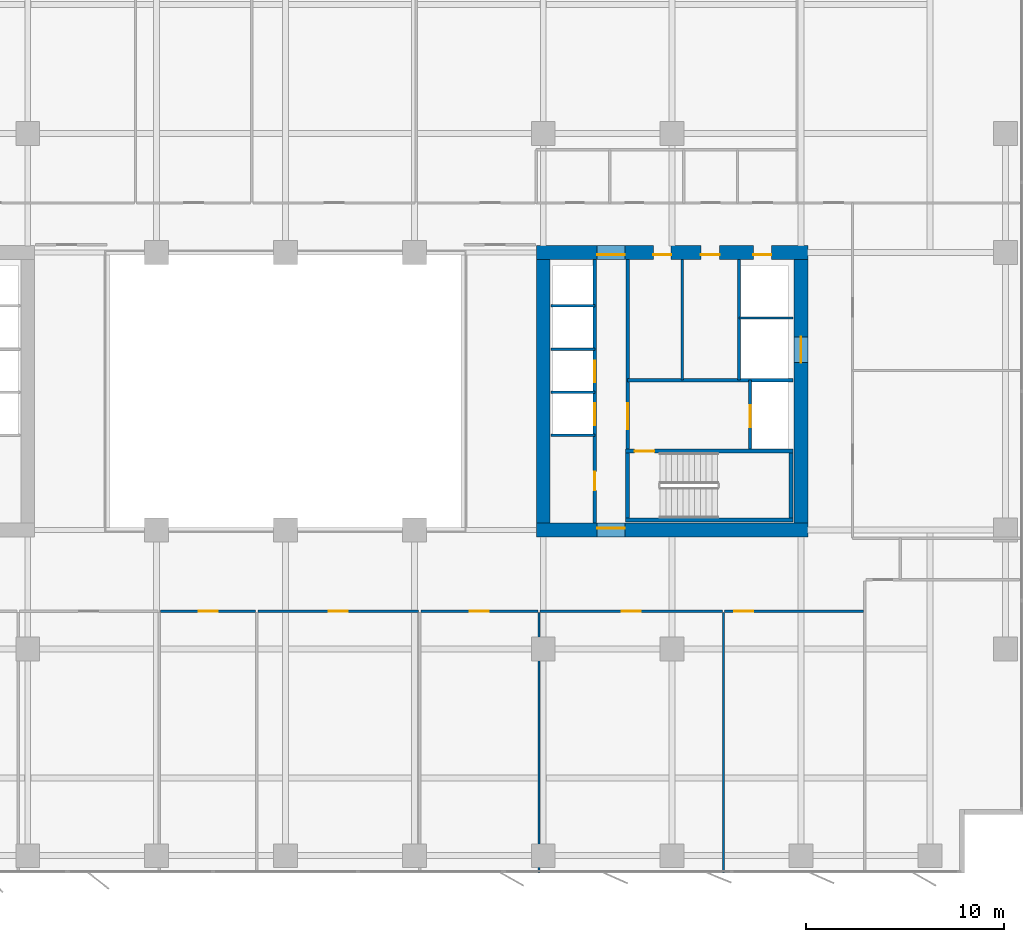
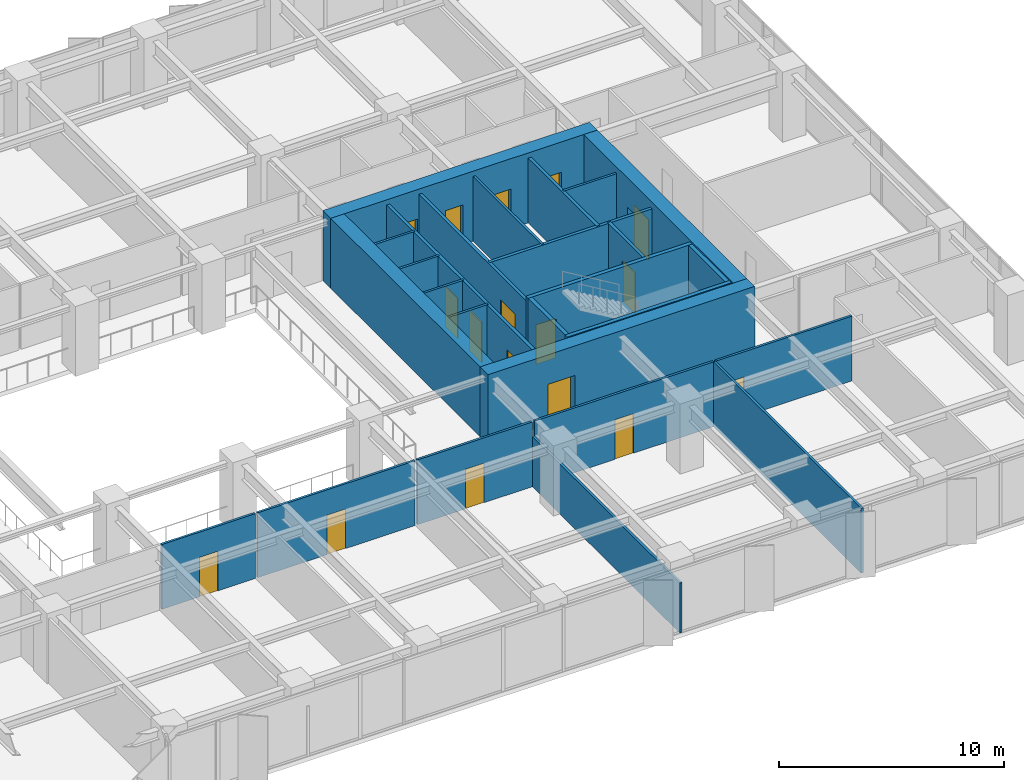
# One storey, part 14 of 20: 26 walls, 17 doors, 17 openings.
"""IFC4 building model written with IfcOpenShell, lengths in metres."""

from ifc_helpers import new_model, si_unit, direction, frame, frame_2d, origin, place, context, subcontext, project, spatial, rectangle, extrude, material, layer, layer_set, type_object, element, fill, save


model = new_model("IFC4")

# Units and contexts
model_context = context("Model", 3, precision=1e-05, world=origin(), true_north=direction((0.0, 1.0)))
body_context = subcontext(model_context, "Body", "Model", "MODEL_VIEW")
ifc_project = project(units=[si_unit("LENGTHUNIT", "METRE"), si_unit("AREAUNIT", "SQUARE_METRE"), si_unit("VOLUMEUNIT", "CUBIC_METRE"), si_unit("PLANEANGLEUNIT", "RADIAN"), si_unit("MASSUNIT", "GRAM", prefix="KILO")], contexts=[model_context])

# Site, building, storey
site_placement = place(None, origin())
site = spatial("IfcSite", under=ifc_project, at=site_placement, CompositionType="ELEMENT")
building_placement = place(site_placement, origin())
building = spatial("IfcBuilding", under=site, at=building_placement, Name="Putna Gate Headquarters", CompositionType="ELEMENT")
storey_placement = place(building_placement, frame((0.0, 0.0, 135.39990234375)))
storey = spatial("IfcBuildingStorey", under=building, at=storey_placement, Name="L33", CompositionType="ELEMENT", Elevation=135.39990234375)

# Wall, opening, door
ifc_material_1 = material(Name="Concrete C60/75", Category="concrete")
ifc_layer_1 = layer(ifc_material_1, 0.699951171875)
ifc_layer_set_1 = layer_set([ifc_layer_1], Name="Concrete C60/75")
wall_type_1 = type_object("IfcWallType", Name="WALL-CORE-700", PredefinedType="SHEAR", material=ifc_layer_set_1)
wall_1_placement = place(storey_placement, frame((51.64990234375, 19.0, 0.0), z_axis=(0.0, 0.0, 1.0), x_axis=(1.0, 0.0, 0.0)))
wall_1 = element("IfcWall", 1, at=wall_1_placement, inside=storey, type_object=wall_type_1, Name="L33 EC Split Core Shear Wall S", PredefinedType="SHEAR", context=body_context, shape_type="SweptSolid", body=[
    extrude(rectangle(XDim=13.7001953125, YDim=0.699951171875, at=frame_2d((6.85009765625, 0.0))), origin(), (0.0, 0.0, 1.0), 3.800048828125),
])
opening_1_placement = place(wall_1_placement, frame((3.070068359375, 0.0, 0.0)))
opening_1 = element("IfcOpeningElement", 2, at=opening_1_placement, cuts=wall_1, Name="Opening FDD-140", PredefinedType="OPENING", context=body_context, shape_type="SweptSolid", body=[
    extrude(rectangle(XDim=1.39990234375, YDim=2.199951171875, at=frame_2d((0.699951171875, 1.10009765625))), frame((0.0, 0.35986328125, 0.0), z_axis=(0.0, -1.0, 0.0), x_axis=(1.0, 0.0, 0.0)), (0.0, 0.0, 1.0), 0.719970703125),
])
ifc_material_2 = material(Name="Double steel fire door", Category="steel")
door_type_1 = type_object("IfcDoorType", Name="DOOR-FIRE-DBL-1400", OperationType="DOUBLE_DOOR_SINGLE_SWING", PredefinedType="DOOR", material=ifc_material_2)
door_1_placement = place(opening_1_placement, origin())
door_1 = element("IfcDoor", 3, at=door_1_placement, inside=storey, type_object=door_type_1, Name="L33 East Lift Lobby South Door", OperationType="DOUBLE_DOOR_SINGLE_SWING", OverallHeight=2.199951171875, OverallWidth=1.39990234375, PredefinedType="DOOR", context=body_context, shape_type="SweptSolid", body=[
    extrude(rectangle(XDim=1.39990234375, YDim=2.199951171875, at=frame_2d((0.699951171875, 1.10009765625))), frame((0.0, 0.125, 0.0), z_axis=(0.0, -1.0, 0.0), x_axis=(1.0, 0.0, 0.0)), (0.0, 0.0, 1.0), 0.050048828125),
])
fill(opening_1, door_1)

# Wall, openings, doors
wall_2_placement = place(storey_placement, frame((51.64990234375, 33.0, 0.0), z_axis=(0.0, 0.0, 1.0), x_axis=(1.0, 0.0, 0.0)))
wall_2 = element("IfcWall", 4, at=wall_2_placement, inside=storey, type_object=wall_type_1, Name="L33 EC Split Core Shear Wall N", PredefinedType="SHEAR", context=body_context, shape_type="SweptSolid", body=[
    extrude(rectangle(XDim=13.7001953125, YDim=0.699951171875, at=frame_2d((6.85009765625, 0.0))), origin(), (0.0, 0.0, 1.0), 3.800048828125),
])
opening_2_placement = place(wall_2_placement, frame((3.070068359375, 0.0, 0.0)))
opening_2 = element("IfcOpeningElement", 5, at=opening_2_placement, cuts=wall_2, Name="Opening FDD-140", PredefinedType="OPENING", context=body_context, shape_type="SweptSolid", body=[
    extrude(rectangle(XDim=1.39990234375, YDim=2.199951171875, at=frame_2d((0.699951171875, 1.10009765625))), frame((0.0, 0.35986328125, 0.0), z_axis=(0.0, -1.0, 0.0), x_axis=(1.0, 0.0, 0.0)), (0.0, 0.0, 1.0), 0.719970703125),
])
opening_3_placement = place(wall_2_placement, frame((10.949951171875, 0.0, 0.0)))
opening_3 = element("IfcOpeningElement", 6, at=opening_3_placement, cuts=wall_2, Name="Opening RD-90", PredefinedType="OPENING", context=body_context, shape_type="SweptSolid", body=[
    extrude(rectangle(XDim=0.89990234375, YDim=2.14990234375, at=frame_2d((0.449951171875, 1.074951171875))), frame((0.0, 0.35986328125, 0.0), z_axis=(0.0, -1.0, 0.0), x_axis=(1.0, 0.0, 0.0)), (0.0, 0.0, 1.0), 0.719970703125),
])
opening_4_placement = place(wall_2_placement, frame((5.89990234375, 0.0, 0.0)))
opening_4 = element("IfcOpeningElement", 7, at=opening_4_placement, cuts=wall_2, Name="Opening IDS-90", PredefinedType="OPENING", context=body_context, shape_type="SweptSolid", body=[
    extrude(rectangle(XDim=0.89990234375, YDim=2.14990234375, at=frame_2d((0.449951171875, 1.074951171875))), frame((0.0, 0.35986328125, 0.0), z_axis=(0.0, -1.0, 0.0), x_axis=(1.0, 0.0, 0.0)), (0.0, 0.0, 1.0), 0.719970703125),
])
opening_5_placement = place(wall_2_placement, frame((8.300048828125, 0.0, 0.0)))
opening_5 = element("IfcOpeningElement", 8, at=opening_5_placement, cuts=wall_2, Name="Opening IDS-95", PredefinedType="OPENING", context=body_context, shape_type="SweptSolid", body=[
    extrude(rectangle(XDim=0.949951171875, YDim=2.14990234375, at=frame_2d((0.47509765625, 1.074951171875))), frame((0.0, 0.35986328125, 0.0), z_axis=(0.0, -1.0, 0.0), x_axis=(1.0, 0.0, 0.0)), (0.0, 0.0, 1.0), 0.719970703125),
])
door_2_placement = place(opening_2_placement, origin())
door_2 = element("IfcDoor", 9, at=door_2_placement, inside=storey, type_object=door_type_1, Name="L33 East Lift Lobby North Door", OperationType="DOUBLE_DOOR_SINGLE_SWING", OverallHeight=2.199951171875, OverallWidth=1.39990234375, PredefinedType="DOOR", context=body_context, shape_type="SweptSolid", body=[
    extrude(rectangle(XDim=1.39990234375, YDim=2.199951171875, at=frame_2d((0.699951171875, 1.10009765625))), frame((0.0, -0.0751953125, 0.0), z_axis=(0.0, -1.0, 0.0), x_axis=(1.0, 0.0, 0.0)), (0.0, 0.0, 1.0), 0.050048828125),
])
fill(opening_2, door_2)
ifc_material_3 = material(Name="Fire-rated utility door")
door_type_2 = type_object("IfcDoorType", Name="DOOR-INT-900", OperationType="NOTDEFINED", PredefinedType="DOOR", material=ifc_material_3)
door_3_placement = place(opening_4_placement, origin())
door_3 = element("IfcDoor", 10, at=door_3_placement, inside=storey, type_object=door_type_2, Name="L33 Telecoms Plant Door", OperationType="SINGLE_SWING_LEFT", OverallHeight=2.14990234375, OverallWidth=0.89990234375, PredefinedType="DOOR", context=body_context, shape_type="SweptSolid", body=[
    extrude(rectangle(XDim=0.89990234375, YDim=2.14990234375, at=frame_2d((0.449951171875, 1.074951171875))), frame((0.0, -0.0751953125, 0.0), z_axis=(0.0, -1.0, 0.0), x_axis=(1.0, 0.0, 0.0)), (0.0, 0.0, 1.0), 0.050048828125),
])
fill(opening_4, door_3)
ifc_material_4 = material(Name="Fire-rated service timber door", Category="wood")
door_type_3 = type_object("IfcDoorType", Name="DOOR-INT-950", OperationType="NOTDEFINED", PredefinedType="DOOR", material=ifc_material_4)
door_4_placement = place(opening_5_placement, origin())
door_4 = element("IfcDoor", 11, at=door_4_placement, inside=storey, type_object=door_type_3, Name="L33 Supplies Store Door", OperationType="SINGLE_SWING_RIGHT", OverallHeight=2.14990234375, OverallWidth=0.949951171875, PredefinedType="DOOR", context=body_context, shape_type="SweptSolid", body=[
    extrude(rectangle(XDim=0.949951171875, YDim=2.14990234375, at=frame_2d((0.47509765625, 1.074951171875))), frame((0.0, -0.0751953125, 0.0), z_axis=(0.0, -1.0, 0.0), x_axis=(1.0, 0.0, 0.0)), (0.0, 0.0, 1.0), 0.050048828125),
])
fill(opening_5, door_4)
ifc_material_5 = material(Name="Steel riser access fire door", Category="steel")
door_type_4 = type_object("IfcDoorType", Name="DOOR-RISER-900", OperationType="NOTDEFINED", PredefinedType="DOOR", material=ifc_material_5)
door_5_placement = place(opening_3_placement, origin())
door_5 = element("IfcDoor", 12, at=door_5_placement, inside=storey, type_object=door_type_4, Name="L33 East Riser Access Door", OperationType="SINGLE_SWING_LEFT", OverallHeight=2.14990234375, OverallWidth=0.89990234375, PredefinedType="DOOR", context=body_context, shape_type="SweptSolid", body=[
    extrude(rectangle(XDim=0.89990234375, YDim=2.14990234375, at=frame_2d((0.449951171875, 1.074951171875))), frame((0.0, -0.0751953125, 0.0), z_axis=(0.0, -1.0, 0.0), x_axis=(1.0, 0.0, 0.0)), (0.0, 0.0, 1.0), 0.050048828125),
])
fill(opening_3, door_5)

# Wall
wall_3_placement = place(storey_placement, frame((52.0, 19.35009765625, 0.0), z_axis=(0.0, 0.0, 1.0), x_axis=(0.0, 1.0, 0.0)))
element("IfcWall", 13, at=wall_3_placement, inside=storey, type_object=wall_type_1, Name="L33 EC Split Core Shear Wall W", PredefinedType="SHEAR", context=body_context, shape_type="SweptSolid", body=[
    extrude(rectangle(XDim=13.2998046875, YDim=0.699951171875, at=frame_2d((6.64990234375, 0.0))), origin(), (0.0, 0.0, 1.0), 3.800048828125),
])

# Wall, opening, door
wall_4_placement = place(storey_placement, frame((65.0, 19.35009765625, 0.0), z_axis=(0.0, 0.0, 1.0), x_axis=(0.0, 1.0, 0.0)))
wall_4 = element("IfcWall", 14, at=wall_4_placement, inside=storey, type_object=wall_type_1, Name="L33 EC Split Core Shear Wall E", PredefinedType="SHEAR", context=body_context, shape_type="SweptSolid", body=[
    extrude(rectangle(XDim=13.2998046875, YDim=0.699951171875, at=frame_2d((6.64990234375, 0.0))), origin(), (0.0, 0.0, 1.0), 3.800048828125),
])
opening_6_placement = place(wall_4_placement, frame((8.10009765625, 0.0, 0.0)))
opening_6 = element("IfcOpeningElement", 15, at=opening_6_placement, cuts=wall_4, Name="Opening LD-2", PredefinedType="OPENING", context=body_context, shape_type="SweptSolid", body=[
    extrude(rectangle(XDim=1.300048828125, YDim=2.199951171875, at=frame_2d((0.64990234375, 1.10009765625))), frame((0.0, 0.35986328125, 0.0), z_axis=(0.0, -1.0, 0.0), x_axis=(1.0, 0.0, 0.0)), (0.0, 0.0, 1.0), 0.719970703125),
])
ifc_material_6 = material(Name="Heavy-duty goods lift sliding landing door")
door_type_5 = type_object("IfcDoorType", Name="DOOR-LIFT-1300", OperationType="DOUBLE_DOOR_SLIDING", PredefinedType="DOOR", material=ifc_material_6)
door_6_placement = place(opening_6_placement, origin())
door_6 = element("IfcDoor", 16, at=door_6_placement, inside=storey, type_object=door_type_5, Name="L33 Goods Lift Landing Door LD-15", OperationType="DOUBLE_DOOR_SLIDING", OverallHeight=2.199951171875, OverallWidth=1.300048828125, PredefinedType="DOOR", context=body_context, shape_type="SweptSolid", body=[
    extrude(rectangle(XDim=1.300048828125, YDim=2.199951171875, at=frame_2d((0.64990234375, 1.10009765625))), frame((0.0, 0.02490234375, 0.0), z_axis=(0.0, -1.0, 0.0), x_axis=(1.0, 0.0, 0.0)), (0.0, 0.0, 1.0), 0.050048828125),
])
fill(opening_6, door_6)

# Walls
ifc_material_7 = material(Name="Acoustic gypsum board on metal stud")
ifc_layer_2 = layer(ifc_material_7, 0.1201171875)
ifc_layer_set_2 = layer_set([ifc_layer_2], Name="Acoustic gypsum board on metal stud")
wall_type_2 = type_object("IfcWallType", Name="WALL-PART-120", PredefinedType="PARTITIONING", material=ifc_layer_set_2)
wall_5_placement = place(storey_placement, frame((51.78662109375, 1.719970703125, 0.0), z_axis=(0.0, 0.0, 1.0), x_axis=(0.0, 1.0, 0.0)))
element("IfcWall", 17, at=wall_5_placement, inside=storey, type_object=wall_type_2, Name="L33 Interior Wall PART-L33-SB-DIV-07", PredefinedType="PARTITIONING", context=body_context, shape_type="SweptSolid", body=[
    extrude(rectangle(XDim=13.1201171875, YDim=0.1201171875, at=frame_2d((6.56005859375, 0.0))), origin(), (0.0, 0.0, 1.0), 2.72021484375),
])
wall_6_placement = place(storey_placement, frame((61.093505859375, 1.719970703125, 0.0), z_axis=(0.0, 0.0, 1.0), x_axis=(0.0, 1.0, 0.0)))
element("IfcWall", 18, at=wall_6_placement, inside=storey, type_object=wall_type_2, Name="L33 Interior Wall PART-L33-SB-DIV-08", PredefinedType="PARTITIONING", context=body_context, shape_type="SweptSolid", body=[
    extrude(rectangle(XDim=13.1201171875, YDim=0.1201171875, at=frame_2d((6.56005859375, 0.0))), origin(), (0.0, 0.0, 1.0), 3.52001953125),
])
ifc_material_8 = material(Name="Fire-rated shaftwall gypsum board on metal stud")
ifc_layer_3 = layer(ifc_material_8, 0.1201171875)
ifc_layer_set_3 = layer_set([ifc_layer_3], Name="Fire-rated shaftwall gypsum board on metal stud")
wall_type_3 = type_object("IfcWallType", Name="WALL-PART-120-EI120", PredefinedType="PARTITIONING", material=ifc_layer_set_3)
for number, where, z_axis, x_axis, name in (
    (19, (52.39990234375, 25.949951171875, 0.0), (0.0, 0.0, 1.0), (1.0, 0.0, 0.0), "L33 Interior Wall CWINT-L33-EC-LF07-DIV"),
    (20, (52.39990234375, 28.1201171875, 0.0), (0.0, 0.0, 1.0), (1.0, 0.0, 0.0), "L33 Interior Wall CWINT-L33-EC-LF08-DIV"),
    (21, (52.39990234375, 30.31005859375, 0.0), (0.0, 0.0, 1.0), (1.0, 0.0, 0.0), "L33 Interior Wall CWINT-L33-EC-LF11-DIV"),
):
    element("IfcWall", number, at=place(storey_placement, frame(where, z_axis=z_axis, x_axis=x_axis)), inside=storey, type_object=wall_type_3, Name=name, PredefinedType="PARTITIONING", context=body_context, shape_type="SweptSolid", body=[
        extrude(rectangle(XDim=2.2001953125, YDim=0.1201171875, at=frame_2d((1.10009765625, 0.0))), origin(), (0.0, 0.0, 1.0), 3.52001953125),
    ])
wall_7_placement = place(storey_placement, frame((61.8701171875, 29.699951171875, 0.0), z_axis=(0.0, 0.0, 1.0), x_axis=(1.0, 0.0, 0.0)))
element("IfcWall", 22, at=wall_7_placement, inside=storey, type_object=wall_type_3, Name="L33 Interior Wall CWINT-L33-EC-LF15-N", PredefinedType="PARTITIONING", context=body_context, shape_type="SweptSolid", body=[
    extrude(rectangle(XDim=2.72998046875, YDim=0.1201171875, at=frame_2d((1.364990234375, 0.0))), origin(), (0.0, 0.0, 1.0), 3.52001953125),
])
ifc_material_9 = material(Name="Fire-rated gypsum board on metal stud")
ifc_layer_4 = layer(ifc_material_9, 0.1201171875)
ifc_layer_set_4 = layer_set([ifc_layer_4], Name="Fire-rated gypsum board on metal stud")
wall_type_4 = type_object("IfcWallType", Name="WALL-PART-120-RATED", PredefinedType="PARTITIONING", material=ifc_layer_set_4)
wall_8_placement = place(storey_placement, frame((52.39990234375, 23.780029296875, 0.0), z_axis=(0.0, 0.0, 1.0), x_axis=(1.0, 0.0, 0.0)))
element("IfcWall", 23, at=wall_8_placement, inside=storey, type_object=wall_type_4, Name="L33 Interior Wall CWINT-L33-EC-LF04-DIV", PredefinedType="PARTITIONING", context=body_context, shape_type="SweptSolid", body=[
    extrude(rectangle(XDim=2.2001953125, YDim=0.1201171875, at=frame_2d((1.10009765625, 0.0))), origin(), (0.0, 0.0, 1.0), 3.52001953125),
])
wall_9_placement = place(storey_placement, frame((59.02001953125, 26.56005859375, 0.0), z_axis=(0.0, 0.0, 1.0), x_axis=(0.0, 1.0, 0.0)))
element("IfcWall", 24, at=wall_9_placement, inside=storey, type_object=wall_type_4, Name="L33 Interior Wall CWINT-L33-EC-K1-DIV", PredefinedType="PARTITIONING", context=body_context, shape_type="SweptSolid", body=[
    extrude(rectangle(XDim=6.08984375, YDim=0.1201171875, at=frame_2d((3.044921875, 0.0))), origin(), (0.0, 0.0, 1.0), 3.52001953125),
])

# Wall, opening, door
wall_10_placement = place(storey_placement, frame((32.699951171875, 14.89990234375, 0.0), z_axis=(0.0, 0.0, 1.0), x_axis=(1.0, 0.0, 0.0)))
wall_10 = element("IfcWall", 25, at=wall_10_placement, inside=storey, type_object=wall_type_4, Name="L33 Interior Wall PART-L33-SB-CW-05", PredefinedType="PARTITIONING", context=body_context, shape_type="SweptSolid", body=[
    extrude(rectangle(XDim=4.796142578125, YDim=0.1201171875, at=frame_2d((2.39794921875, 0.0))), origin(), (0.0, 0.0, 1.0), 3.52001953125),
])
opening_7_placement = place(wall_10_placement, frame((1.923095703125, 0.0, 0.0)))
opening_7 = element("IfcOpeningElement", 26, at=opening_7_placement, cuts=wall_10, Name="Opening FD-95", PredefinedType="OPENING", context=body_context, shape_type="SweptSolid", body=[
    extrude(rectangle(XDim=0.949951171875, YDim=2.14990234375, at=frame_2d((0.47509765625, 1.074951171875))), frame((0.0, 0.070068359375, 0.0), z_axis=(0.0, -1.0, 0.0), x_axis=(1.0, 0.0, 0.0)), (0.0, 0.0, 1.0), 0.14013671875),
])
ifc_material_10 = material(Name="Acoustic timber fire door", Category="wood")
door_type_6 = type_object("IfcDoorType", Name="DOOR-FIRE-950", OperationType="NOTDEFINED", PredefinedType="DOOR", material=ifc_material_10)
door_7_placement = place(opening_7_placement, origin())
door_7 = element("IfcDoor", 27, at=door_7_placement, inside=storey, type_object=door_type_6, Name="L33 Conference Meeting Room 2 Door", OperationType="SINGLE_SWING_LEFT", OverallHeight=2.14990234375, OverallWidth=0.949951171875, PredefinedType="DOOR", context=body_context, shape_type="SweptSolid", body=[
    extrude(rectangle(XDim=0.949951171875, YDim=2.14990234375, at=frame_2d((0.47509765625, 1.074951171875))), frame((0.0, 0.02490234375, 0.0), z_axis=(0.0, -1.0, 0.0), x_axis=(1.0, 0.0, 0.0)), (0.0, 0.0, 1.0), 0.050048828125),
])
fill(opening_7, door_7)

wall_11_placement = place(storey_placement, frame((37.6162109375, 14.89990234375, 0.0), z_axis=(0.0, 0.0, 1.0), x_axis=(1.0, 0.0, 0.0)))
wall_11 = element("IfcWall", 28, at=wall_11_placement, inside=storey, type_object=wall_type_4, Name="L33 Interior Wall PART-L33-SB-CW-06", PredefinedType="PARTITIONING", context=body_context, shape_type="SweptSolid", body=[
    extrude(rectangle(XDim=8.091064453125, YDim=0.1201171875, at=frame_2d((4.04541015625, 0.0))), origin(), (0.0, 0.0, 1.0), 3.52001953125),
])
opening_8_placement = place(wall_11_placement, frame((3.570556640625, 0.0, 0.0)))
opening_8 = element("IfcOpeningElement", 29, at=opening_8_placement, cuts=wall_11, Name="Opening FD-95", PredefinedType="OPENING", context=body_context, shape_type="SweptSolid", body=[
    extrude(rectangle(XDim=0.949951171875, YDim=2.14990234375, at=frame_2d((0.47509765625, 1.074951171875))), frame((0.0, 0.070068359375, 0.0), z_axis=(0.0, -1.0, 0.0), x_axis=(1.0, 0.0, 0.0)), (0.0, 0.0, 1.0), 0.14013671875),
])
door_8_placement = place(opening_8_placement, origin())
door_8 = element("IfcDoor", 30, at=door_8_placement, inside=storey, type_object=door_type_6, Name="L33 Conference Meeting Room 3 Door", OperationType="SINGLE_SWING_RIGHT", OverallHeight=2.14990234375, OverallWidth=0.949951171875, PredefinedType="DOOR", context=body_context, shape_type="SweptSolid", body=[
    extrude(rectangle(XDim=0.949951171875, YDim=2.14990234375, at=frame_2d((0.47509765625, 1.074951171875))), frame((0.0, 0.02490234375, 0.0), z_axis=(0.0, -1.0, 0.0), x_axis=(1.0, 0.0, 0.0)), (0.0, 0.0, 1.0), 0.050048828125),
])
fill(opening_8, door_8)

wall_12_placement = place(storey_placement, frame((45.827392578125, 14.89990234375, 0.0), z_axis=(0.0, 0.0, 1.0), x_axis=(1.0, 0.0, 0.0)))
wall_12 = element("IfcWall", 31, at=wall_12_placement, inside=storey, type_object=wall_type_4, Name="L33 Interior Wall PART-L33-SB-CW-07", PredefinedType="PARTITIONING", context=body_context, shape_type="SweptSolid", body=[
    extrude(rectangle(XDim=5.8994140625, YDim=0.1201171875, at=frame_2d((2.94970703125, 0.0))), origin(), (0.0, 0.0, 1.0), 3.52001953125),
])
opening_9_placement = place(wall_12_placement, frame((2.474609375, 0.0, 0.0)))
opening_9 = element("IfcOpeningElement", 32, at=opening_9_placement, cuts=wall_12, Name="Opening FD-95", PredefinedType="OPENING", context=body_context, shape_type="SweptSolid", body=[
    extrude(rectangle(XDim=0.949951171875, YDim=2.14990234375, at=frame_2d((0.47509765625, 1.074951171875))), frame((0.0, 0.070068359375, 0.0), z_axis=(0.0, -1.0, 0.0), x_axis=(1.0, 0.0, 0.0)), (0.0, 0.0, 1.0), 0.14013671875),
])
door_9_placement = place(opening_9_placement, origin())
door_9 = element("IfcDoor", 33, at=door_9_placement, inside=storey, type_object=door_type_6, Name="L33 Conference Meeting Room 4 Door", OperationType="SINGLE_SWING_LEFT", OverallHeight=2.14990234375, OverallWidth=0.949951171875, PredefinedType="DOOR", context=body_context, shape_type="SweptSolid", body=[
    extrude(rectangle(XDim=0.949951171875, YDim=2.14990234375, at=frame_2d((0.47509765625, 1.074951171875))), frame((0.0, 0.02490234375, 0.0), z_axis=(0.0, -1.0, 0.0), x_axis=(1.0, 0.0, 0.0)), (0.0, 0.0, 1.0), 0.050048828125),
])
fill(opening_9, door_9)

wall_13_placement = place(storey_placement, frame((51.8466796875, 14.89990234375, 0.0), z_axis=(0.0, 0.0, 1.0), x_axis=(1.0, 0.0, 0.0)))
wall_13 = element("IfcWall", 34, at=wall_13_placement, inside=storey, type_object=wall_type_4, Name="L33 Interior Wall PART-L33-SB-CW-08", PredefinedType="PARTITIONING", context=body_context, shape_type="SweptSolid", body=[
    extrude(rectangle(XDim=9.186767578125, YDim=0.1201171875, at=frame_2d((4.59326171875, 0.0))), origin(), (0.0, 0.0, 1.0), 3.52001953125),
])
opening_10_placement = place(wall_13_placement, frame((4.118408203125, 0.0, 0.0)))
opening_10 = element("IfcOpeningElement", 35, at=opening_10_placement, cuts=wall_13, Name="Opening FD-95", PredefinedType="OPENING", context=body_context, shape_type="SweptSolid", body=[
    extrude(rectangle(XDim=0.949951171875, YDim=2.14990234375, at=frame_2d((0.47509765625, 1.074951171875))), frame((0.0, 0.070068359375, 0.0), z_axis=(0.0, -1.0, 0.0), x_axis=(1.0, 0.0, 0.0)), (0.0, 0.0, 1.0), 0.14013671875),
])
door_10_placement = place(opening_10_placement, origin())
door_10 = element("IfcDoor", 36, at=door_10_placement, inside=storey, type_object=door_type_6, Name="L33 Conference Meeting Room 5 Door", OperationType="SINGLE_SWING_RIGHT", OverallHeight=2.14990234375, OverallWidth=0.949951171875, PredefinedType="DOOR", context=body_context, shape_type="SweptSolid", body=[
    extrude(rectangle(XDim=0.949951171875, YDim=2.14990234375, at=frame_2d((0.47509765625, 1.074951171875))), frame((0.0, 0.02490234375, 0.0), z_axis=(0.0, -1.0, 0.0), x_axis=(1.0, 0.0, 0.0)), (0.0, 0.0, 1.0), 0.050048828125),
])
fill(opening_10, door_10)

wall_14_placement = place(storey_placement, frame((61.153564453125, 14.89990234375, 0.0), z_axis=(0.0, 0.0, 1.0), x_axis=(1.0, 0.0, 0.0)))
wall_14 = element("IfcWall", 37, at=wall_14_placement, inside=storey, type_object=wall_type_4, Name="L33 Interior Wall PART-L33-SB-CW-09", PredefinedType="PARTITIONING", context=body_context, shape_type="SweptSolid", body=[
    extrude(rectangle(XDim=6.9951171875, YDim=0.1201171875, at=frame_2d((3.49755859375, 0.0))), origin(), (0.0, 0.0, 1.0), 3.52001953125),
])
opening_11_placement = place(wall_14_placement, frame((0.47998046875, 0.0, 0.0)))
opening_11 = element("IfcOpeningElement", 38, at=opening_11_placement, cuts=wall_14, Name="Opening FD-95", PredefinedType="OPENING", context=body_context, shape_type="SweptSolid", body=[
    extrude(rectangle(XDim=0.949951171875, YDim=2.14990234375, at=frame_2d((0.47509765625, 1.074951171875))), frame((0.0, 0.070068359375, 0.0), z_axis=(0.0, -1.0, 0.0), x_axis=(1.0, 0.0, 0.0)), (0.0, 0.0, 1.0), 0.14013671875),
])
door_11_placement = place(opening_11_placement, origin())
door_11 = element("IfcDoor", 39, at=door_11_placement, inside=storey, type_object=door_type_6, Name="L33 Conference Meeting Room 6 Door", OperationType="SINGLE_SWING_LEFT", OverallHeight=2.14990234375, OverallWidth=0.949951171875, PredefinedType="DOOR", context=body_context, shape_type="SweptSolid", body=[
    extrude(rectangle(XDim=0.949951171875, YDim=2.14990234375, at=frame_2d((0.47509765625, 1.074951171875))), frame((0.0, 0.02490234375, 0.0), z_axis=(0.0, -1.0, 0.0), x_axis=(1.0, 0.0, 0.0)), (0.0, 0.0, 1.0), 0.050048828125),
])
fill(opening_11, door_11)

# Wall, openings, doors
ifc_material_11 = material(Name="Concrete C40/50", Category="concrete")
ifc_layer_5 = layer(ifc_material_11, 0.159912109375)
ifc_layer_set_5 = layer_set([ifc_layer_5], Name="Concrete C40/50")
wall_type_5 = type_object("IfcWallType", Name="WALL-SHAFT-160", PredefinedType="STANDARD", material=ifc_layer_set_5)
wall_15_placement = place(storey_placement, frame((54.60009765625, 19.35009765625, 0.0), z_axis=(0.0, 0.0, 1.0), x_axis=(0.0, 1.0, 0.0)))
wall_15 = element("IfcWall", 40, at=wall_15_placement, inside=storey, type_object=wall_type_5, Name="L33 Interior Wall CWINT-L33-EC-PL-WALL", PredefinedType="STANDARD", context=body_context, shape_type="SweptSolid", body=[
    extrude(rectangle(XDim=13.2998046875, YDim=0.159912109375, at=frame_2d((6.64990234375, 0.0))), origin(), (0.0, 0.0, 1.0), 3.52001953125),
])
opening_12_placement = place(wall_15_placement, frame((1.64990234375, 0.0, 0.0)))
opening_12 = element("IfcOpeningElement", 41, at=opening_12_placement, cuts=wall_15, Name="Opening IDS-95", PredefinedType="OPENING", context=body_context, shape_type="SweptSolid", body=[
    extrude(rectangle(XDim=0.949951171875, YDim=2.14990234375, at=frame_2d((0.47509765625, 1.074951171875))), frame((0.0, 0.08984375, 0.0), z_axis=(0.0, -1.0, 0.0), x_axis=(1.0, 0.0, 0.0)), (0.0, 0.0, 1.0), 0.179931640625),
])
opening_13_placement = place(wall_15_placement, frame((4.949951171875, 0.0, 0.0)))
opening_13 = element("IfcOpeningElement", 42, at=opening_13_placement, cuts=wall_15, Name="Opening LD-1", PredefinedType="OPENING", context=body_context, shape_type="SweptSolid", body=[
    extrude(rectangle(XDim=1.10009765625, YDim=2.199951171875, at=frame_2d((0.550048828125, 1.10009765625))), frame((0.0, 0.08984375, 0.0), z_axis=(0.0, -1.0, 0.0), x_axis=(1.0, 0.0, 0.0)), (0.0, 0.0, 1.0), 0.179931640625),
])
opening_14_placement = place(wall_15_placement, frame((7.10009765625, 0.0, 0.0)))
opening_14 = element("IfcOpeningElement", 43, at=opening_14_placement, cuts=wall_15, Name="Opening LD-1", PredefinedType="OPENING", context=body_context, shape_type="SweptSolid", body=[
    extrude(rectangle(XDim=1.10009765625, YDim=2.199951171875, at=frame_2d((0.550048828125, 1.10009765625))), frame((0.0, 0.08984375, 0.0), z_axis=(0.0, -1.0, 0.0), x_axis=(1.0, 0.0, 0.0)), (0.0, 0.0, 1.0), 0.179931640625),
])
door_12_placement = place(opening_12_placement, origin())
door_12 = element("IfcDoor", 44, at=door_12_placement, inside=storey, type_object=door_type_3, Name="L33 Stationery Store Door", OperationType="SINGLE_SWING_RIGHT", OverallHeight=2.14990234375, OverallWidth=0.949951171875, PredefinedType="DOOR", context=body_context, shape_type="SweptSolid", body=[
    extrude(rectangle(XDim=0.949951171875, YDim=2.14990234375, at=frame_2d((0.47509765625, 1.074951171875))), frame((0.0, 0.02490234375, 0.0), z_axis=(0.0, -1.0, 0.0), x_axis=(1.0, 0.0, 0.0)), (0.0, 0.0, 1.0), 0.050048828125),
])
fill(opening_12, door_12)
ifc_material_12 = material(Name="Brushed bronze stainless lift landing door")
door_type_7 = type_object("IfcDoorType", Name="DOOR-LIFT-1100", OperationType="DOUBLE_DOOR_SLIDING", PredefinedType="DOOR", material=ifc_material_12)
door_13_placement = place(opening_13_placement, origin())
door_13 = element("IfcDoor", 45, at=door_13_placement, inside=storey, type_object=door_type_7, Name="L33 Lift Landing Door LD-07", OperationType="DOUBLE_DOOR_SLIDING", OverallHeight=2.199951171875, OverallWidth=1.10009765625, PredefinedType="DOOR", context=body_context, shape_type="SweptSolid", body=[
    extrude(rectangle(XDim=1.10009765625, YDim=2.199951171875, at=frame_2d((0.550048828125, 1.10009765625))), frame((0.0, 0.02490234375, 0.0), z_axis=(0.0, -1.0, 0.0), x_axis=(1.0, 0.0, 0.0)), (0.0, 0.0, 1.0), 0.050048828125),
])
fill(opening_13, door_13)
door_14_placement = place(opening_14_placement, origin())
door_14 = element("IfcDoor", 46, at=door_14_placement, inside=storey, type_object=door_type_7, Name="L33 Lift Landing Door LD-08", OperationType="DOUBLE_DOOR_SLIDING", OverallHeight=2.199951171875, OverallWidth=1.10009765625, PredefinedType="DOOR", context=body_context, shape_type="SweptSolid", body=[
    extrude(rectangle(XDim=1.10009765625, YDim=2.199951171875, at=frame_2d((0.550048828125, 1.10009765625))), frame((0.0, 0.02490234375, 0.0), z_axis=(0.0, -1.0, 0.0), x_axis=(1.0, 0.0, 0.0)), (0.0, 0.0, 1.0), 0.050048828125),
])
fill(opening_14, door_14)

# Wall, opening, door
wall_16_placement = place(storey_placement, frame((56.260009765625, 23.090087890625, 0.0), z_axis=(0.0, 0.0, 1.0), x_axis=(0.0, 1.0, 0.0)))
wall_16 = element("IfcWall", 47, at=wall_16_placement, inside=storey, type_object=wall_type_5, Name="L33 Interior Wall CWINT-L33-EC-LOB-E", PredefinedType="STANDARD", context=body_context, shape_type="SweptSolid", body=[
    extrude(rectangle(XDim=9.559814453125, YDim=0.159912109375, at=frame_2d((4.77978515625, 0.0))), origin(), (0.0, 0.0, 1.0), 3.52001953125),
])
opening_15_placement = place(wall_16_placement, frame((1.010009765625, 0.0, 0.0)))
opening_15 = element("IfcOpeningElement", 48, at=opening_15_placement, cuts=wall_16, Name="Opening FDD-130", PredefinedType="OPENING", context=body_context, shape_type="SweptSolid", body=[
    extrude(rectangle(XDim=1.300048828125, YDim=2.199951171875, at=frame_2d((0.64990234375, 1.10009765625))), frame((0.0, 0.08984375, 0.0), z_axis=(0.0, -1.0, 0.0), x_axis=(1.0, 0.0, 0.0)), (0.0, 0.0, 1.0), 0.179931640625),
])
ifc_material_13 = material(Name="Double steel lobby fire door", Category="steel")
door_type_8 = type_object("IfcDoorType", Name="DOOR-FIRE-DBL-1300", OperationType="DOUBLE_DOOR_SINGLE_SWING", PredefinedType="DOOR", material=ifc_material_13)
door_15_placement = place(opening_15_placement, origin())
door_15 = element("IfcDoor", 49, at=door_15_placement, inside=storey, type_object=door_type_8, Name="L33 East Firefighting Lobby Door", OperationType="DOUBLE_DOOR_SINGLE_SWING", OverallHeight=2.199951171875, OverallWidth=1.300048828125, PredefinedType="DOOR", context=body_context, shape_type="SweptSolid", body=[
    extrude(rectangle(XDim=1.300048828125, YDim=2.199951171875, at=frame_2d((0.64990234375, 1.10009765625))), frame((0.0, 0.02490234375, 0.0), z_axis=(0.0, -1.0, 0.0), x_axis=(1.0, 0.0, 0.0)), (0.0, 0.0, 1.0), 0.050048828125),
])
fill(opening_15, door_15)

wall_17_placement = place(storey_placement, frame((62.429931640625, 23.090087890625, 0.0), z_axis=(0.0, 0.0, 1.0), x_axis=(0.0, 1.0, 0.0)))
wall_17 = element("IfcWall", 50, at=wall_17_placement, inside=storey, type_object=wall_type_5, Name="L33 Interior Wall CWINT-L33-EC-LF14-W", PredefinedType="STANDARD", context=body_context, shape_type="SweptSolid", body=[
    extrude(rectangle(XDim=3.469970703125, YDim=0.159912109375, at=frame_2d((1.73486328125, 0.0))), origin(), (0.0, 0.0, 1.0), 3.52001953125),
])
opening_16_placement = place(wall_17_placement, frame((1.10009765625, 0.0, 0.0)))
opening_16 = element("IfcOpeningElement", 51, at=opening_16_placement, cuts=wall_17, Name="Opening LD-1", PredefinedType="OPENING", context=body_context, shape_type="SweptSolid", body=[
    extrude(rectangle(XDim=1.10009765625, YDim=2.199951171875, at=frame_2d((0.550048828125, 1.10009765625))), frame((0.0, 0.08984375, 0.0), z_axis=(0.0, -1.0, 0.0), x_axis=(1.0, 0.0, 0.0)), (0.0, 0.0, 1.0), 0.179931640625),
])
door_16_placement = place(opening_16_placement, origin())
door_16 = element("IfcDoor", 52, at=door_16_placement, inside=storey, type_object=door_type_7, Name="L33 Lift Landing Door LD-14", OperationType="DOUBLE_DOOR_SLIDING", OverallHeight=2.199951171875, OverallWidth=1.10009765625, PredefinedType="DOOR", context=body_context, shape_type="SweptSolid", body=[
    extrude(rectangle(XDim=1.10009765625, YDim=2.199951171875, at=frame_2d((0.550048828125, 1.10009765625))), frame((0.0, 0.02490234375, 0.0), z_axis=(0.0, -1.0, 0.0), x_axis=(1.0, 0.0, 0.0)), (0.0, 0.0, 1.0), 0.050048828125),
])
fill(opening_16, door_16)

# Walls
wall_18_placement = place(storey_placement, frame((56.260009765625, 26.56005859375, 0.0), z_axis=(0.0, 0.0, 1.0), x_axis=(1.0, 0.0, 0.0)))
element("IfcWall", 53, at=wall_18_placement, inside=storey, type_object=wall_type_5, Name="L33 Interior Wall CWINT-L33-EC-FFL-N", PredefinedType="STANDARD", context=body_context, shape_type="SweptSolid", body=[
    extrude(rectangle(XDim=8.340087890625, YDim=0.159912109375, at=frame_2d((4.169921875, 0.0))), origin(), (0.0, 0.0, 1.0), 3.52001953125),
])
wall_19_placement = place(storey_placement, frame((61.8701171875, 26.56005859375, 0.0), z_axis=(0.0, 0.0, 1.0), x_axis=(0.0, 1.0, 0.0)))
element("IfcWall", 54, at=wall_19_placement, inside=storey, type_object=wall_type_5, Name="L33 Interior Wall CWINT-L33-EC-LF15-W", PredefinedType="STANDARD", context=body_context, shape_type="SweptSolid", body=[
    extrude(rectangle(XDim=6.08984375, YDim=0.159912109375, at=frame_2d((3.044921875, 0.0))), origin(), (0.0, 0.0, 1.0), 3.52001953125),
])
ifc_layer_6 = layer(ifc_material_11, 0.199951171875)
ifc_layer_set_6 = layer_set([ifc_layer_6], Name="Concrete C40/50")
wall_type_6 = type_object("IfcWallType", Name="WALL-SHAFT-RC200", PredefinedType="SHEAR", material=ifc_layer_set_6)
wall_20_placement = place(storey_placement, frame((56.159912109375, 19.510009765625, 0.0), z_axis=(0.0, 0.0, 1.0), x_axis=(1.0, 0.0, 0.0)))
element("IfcWall", 55, at=wall_20_placement, inside=storey, type_object=wall_type_6, Name="L33 Stair ST2 Structural Shaft Wall S", PredefinedType="SHEAR", context=body_context, shape_type="SweptSolid", body=[
    extrude(rectangle(XDim=8.43017578125, YDim=0.199951171875, at=frame_2d((4.215087890625, 0.0))), origin(), (0.0, 0.0, 1.0), 3.800048828125),
])

# Wall, opening, door
wall_21_placement = place(storey_placement, frame((56.159912109375, 22.989990234375, 0.0), z_axis=(0.0, 0.0, 1.0), x_axis=(1.0, 0.0, 0.0)))
wall_21 = element("IfcWall", 56, at=wall_21_placement, inside=storey, type_object=wall_type_6, Name="L33 Stair ST2 Structural Shaft Wall N", PredefinedType="SHEAR", context=body_context, shape_type="SweptSolid", body=[
    extrude(rectangle(XDim=8.43017578125, YDim=0.199951171875, at=frame_2d((4.215087890625, 0.0))), origin(), (0.0, 0.0, 1.0), 3.800048828125),
])
opening_17_placement = place(wall_21_placement, frame((0.449951171875, 0.0, 0.0)))
opening_17 = element("IfcOpeningElement", 57, at=opening_17_placement, cuts=wall_21, Name="Opening FD-100", PredefinedType="OPENING", context=body_context, shape_type="SweptSolid", body=[
    extrude(rectangle(XDim=1.0, YDim=2.14990234375, at=frame_2d((0.5, 1.074951171875))), frame((0.0, 0.10986328125, 0.0), z_axis=(0.0, -1.0, 0.0), x_axis=(1.0, 0.0, 0.0)), (0.0, 0.0, 1.0), 0.219970703125),
])
ifc_material_14 = material(Name="Powder-coated steel fire door", Category="steel")
door_type_9 = type_object("IfcDoorType", Name="DOOR-FIRE-1000", OperationType="NOTDEFINED", PredefinedType="DOOR", material=ifc_material_14)
door_17_placement = place(opening_17_placement, origin())
door_17 = element("IfcDoor", 58, at=door_17_placement, inside=storey, type_object=door_type_9, Name="L33 Stair ST2 Fire Door", OperationType="SINGLE_SWING_RIGHT", OverallHeight=2.14990234375, OverallWidth=1.0, PredefinedType="DOOR", context=body_context, shape_type="SweptSolid", body=[
    extrude(rectangle(XDim=1.0, YDim=2.14990234375, at=frame_2d((0.5, 1.074951171875))), frame((0.0, 0.02490234375, 0.0), z_axis=(0.0, -1.0, 0.0), x_axis=(1.0, 0.0, 0.0)), (0.0, 0.0, 1.0), 0.050048828125),
])
fill(opening_17, door_17)

# Walls
for number, where, z_axis, x_axis, name in (
    (59, (56.260009765625, 19.610107421875, 0.0), (0.0, 0.0, 1.0), (0.0, 1.0, 0.0), "L33 Stair ST2 Structural Shaft Wall W"),
    (60, (64.489990234375, 19.610107421875, 0.0), (0.0, 0.0, 1.0), (0.0, 1.0, 0.0), "L33 Stair ST2 Structural Shaft Wall E"),
):
    element("IfcWall", number, at=place(storey_placement, frame(where, z_axis=z_axis, x_axis=x_axis)), inside=storey, type_object=wall_type_6, Name=name, PredefinedType="SHEAR", context=body_context, shape_type="SweptSolid", body=[
        extrude(rectangle(XDim=3.27978515625, YDim=0.199951171875, at=frame_2d((1.639892578125, 0.0))), origin(), (0.0, 0.0, 1.0), 3.800048828125),
    ])

save(model, "model.ifc")
